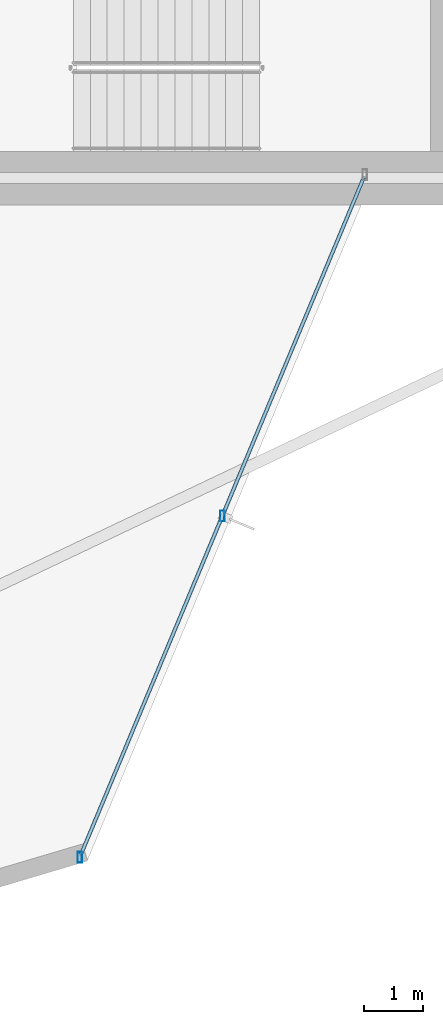
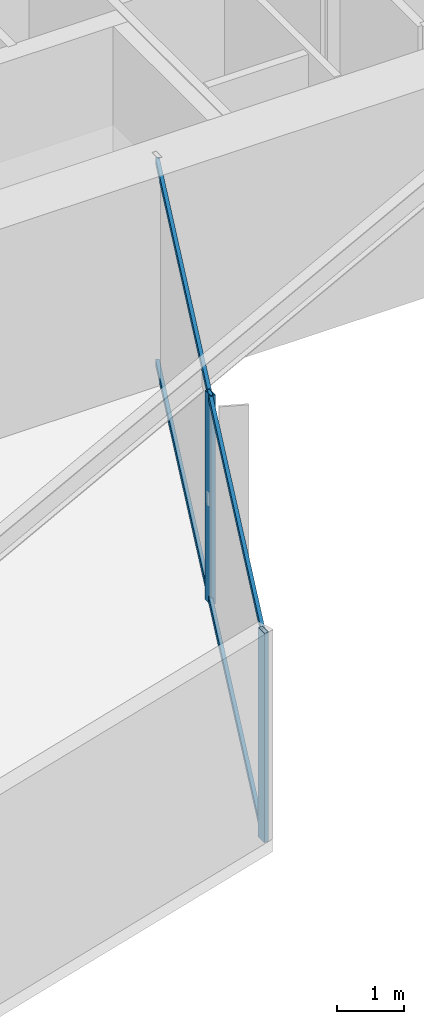
# One storey, part 10 of 24: 4 members, 1 element without a shape of its own.
"""IFC4 building model written with IfcOpenShell, lengths in metres."""

from ifc_helpers import new_model, si_unit, direction, frame, origin, origin_2d, place, context, subcontext, project, spatial, hollow_rectangle, extrude, material, layer, layer_set, material_profile, profile_set, type_object, element, aggregate, save


model = new_model("IFC4")

# Units and contexts
model_context = context("Model", 3, precision=1e-05, world=origin(), true_north=direction((0.0, 1.0)))
body_context = subcontext(model_context, "Body", "Model", "MODEL_VIEW")
ifc_project = project(units=[si_unit("LENGTHUNIT", "METRE"), si_unit("AREAUNIT", "SQUARE_METRE"), si_unit("VOLUMEUNIT", "CUBIC_METRE"), si_unit("PLANEANGLEUNIT", "RADIAN"), si_unit("MASSUNIT", "GRAM", prefix="KILO")], contexts=[model_context])

# Site, building, storey
site_placement = place(None, origin())
site = spatial("IfcSite", under=ifc_project, at=site_placement, CompositionType="ELEMENT")
building_placement = place(site_placement, origin())
building = spatial("IfcBuilding", under=site, at=building_placement, Name="Veymaron Broadcast Tower", CompositionType="ELEMENT")
storey_placement = place(building_placement, frame((0.0, 0.0, 78.300048828125)))
storey = spatial("IfcBuildingStorey", under=building, at=storey_placement, Name="L17", CompositionType="ELEMENT", Elevation=78.300048828125)

# Curtain wall, members
ifc_material_1 = material(Name="Anodised aluminium AA 6063-T6 and laminated low-E dark glass", Category="aluminium")
ifc_layer = layer(ifc_material_1, 0.179931640625)
ifc_layer_set = layer_set([ifc_layer], Name="Anodised aluminium AA 6063-T6 and laminated low-E dark glass")
curtain_wall_type = type_object("IfcCurtainWallType", Name="CW-SYS-02", PredefinedType="NOTDEFINED", material=ifc_layer_set)
curtain_wall_placement = place(storey_placement, origin())
curtain_wall = element("IfcCurtainWall", 1, at=curtain_wall_placement, inside=storey, type_object=curtain_wall_type, Name="L17 dark-glass curtain wall CW-L17-E20-1", PredefinedType="NOTDEFINED")
ifc_material_2 = material(Name="Anodised aluminium AA 6063-T6", Category="aluminium")
ifc_material_profile_1 = material_profile(ifc_material_2, hollow_rectangle(XDim=0.074951171875, YDim=0.179931640625, WallThickness=0.0048828125, at=origin_2d()), Name="AL180X75X5")
ifc_profile_set_1 = profile_set([ifc_material_profile_1], Name="Anodised aluminium AA 6063-T6")
member_type_1 = type_object("IfcMemberType", Name="CW-MUL-02", PredefinedType="MULLION", material=ifc_profile_set_1)
member_1_placement = place(storey_placement, frame((41.538818359375, 4.570068359375, 0.0), z_axis=(0.0, 0.0, 1.0), x_axis=(1.0, 0.0, 0.0)))
member_1 = element("IfcMember", 2, at=member_1_placement, type_object=member_type_1, Name="CW-L17-E20-1 mullion 0", PredefinedType="MULLION", context=body_context, shape_type="SweptSolid", body=[
    extrude(hollow_rectangle(XDim=0.074951171875, YDim=0.179931640625, WallThickness=0.0048828125, at=origin_2d()), origin(), (0.0, 0.0, 1.0), 3.81005859375),
])
member_2_placement = place(storey_placement, frame((43.937744140625, 10.31201171875, 0.0), z_axis=(0.0, 0.0, 1.0), x_axis=(1.0, 0.0, 0.0)))
member_2 = element("IfcMember", 3, at=member_2_placement, type_object=member_type_1, Name="CW-L17-E20-1 mullion 1", PredefinedType="MULLION", context=body_context, shape_type="SweptSolid", body=[
    extrude(hollow_rectangle(XDim=0.074951171875, YDim=0.179931640625, WallThickness=0.0048828125, at=origin_2d()), origin(), (0.0, 0.0, 1.0), 3.81005859375),
])
ifc_material_profile_2 = material_profile(ifc_material_2, hollow_rectangle(XDim=0.06005859375, YDim=0.1201171875, WallThickness=0.00390625, at=origin_2d()), Name="AL120X60X4")
ifc_profile_set_2 = profile_set([ifc_material_profile_2], Name="Anodised aluminium AA 6063-T6")
member_type_2 = type_object("IfcMemberType", Name="CW-TRN-02", PredefinedType="USERDEFINED", material=ifc_profile_set_2)
member_3_placement = place(storey_placement, frame((41.55810546875, 4.6162109375, 0.070068359375), z_axis=(0.385497017548, 0.922709081706, 0.0), x_axis=(-0.922709081706, 0.385497017548, 0.0)))
member_3 = element("IfcMember", 4, at=member_3_placement, type_object=member_type_2, Name="CW-L17-E20-1 transom B", ObjectType="TRANSOM", PredefinedType="USERDEFINED", context=body_context, shape_type="SweptSolid", body=[
    extrude(hollow_rectangle(XDim=0.06005859375, YDim=0.1201171875, WallThickness=0.00390625, at=origin_2d()), origin(), (0.0, 0.0, 1.0), 12.345703125),
])
member_4_placement = place(storey_placement, frame((41.55810546875, 4.6162109375, 3.739990234375), z_axis=(0.385497017548, 0.922709081706, 0.0), x_axis=(-0.922709081706, 0.385497017548, 0.0)))
member_4 = element("IfcMember", 5, at=member_4_placement, type_object=member_type_2, Name="CW-L17-E20-1 transom T", ObjectType="TRANSOM", PredefinedType="USERDEFINED", context=body_context, shape_type="SweptSolid", body=[
    extrude(hollow_rectangle(XDim=0.06005859375, YDim=0.1201171875, WallThickness=0.00390625, at=origin_2d()), origin(), (0.0, 0.0, 1.0), 12.345703125),
])
aggregate(curtain_wall, [member_1, member_2, member_3, member_4])

save(model, "model.ifc")
